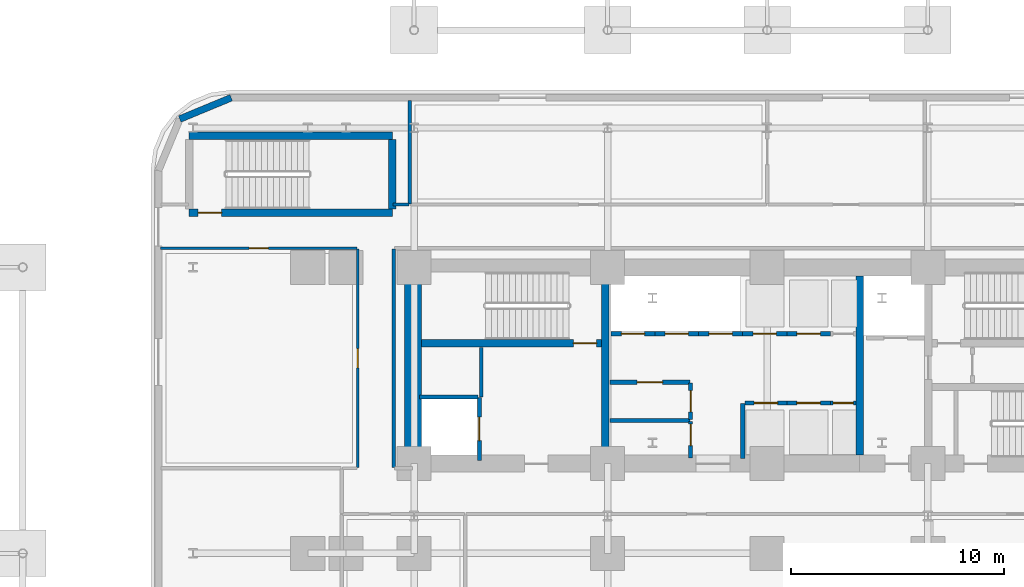
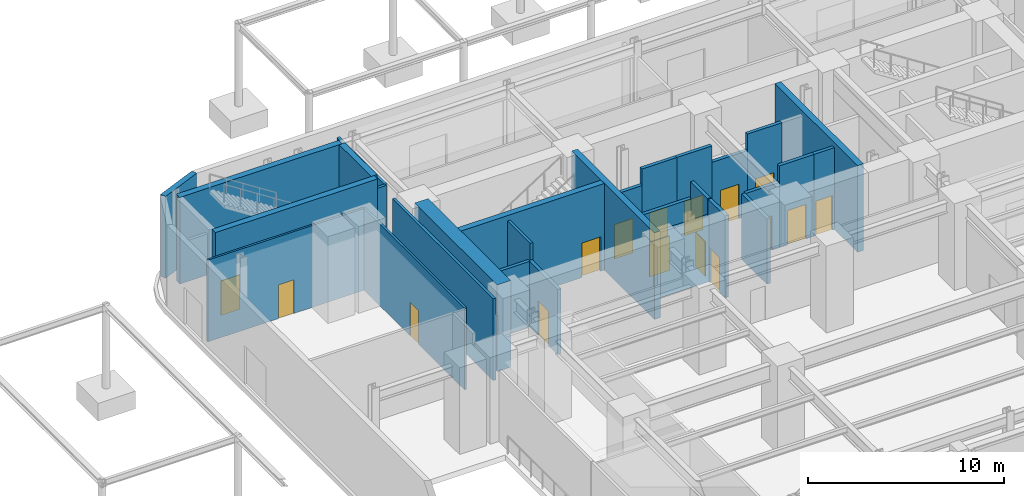
# One storey, part 13 of 21: 29 walls, 16 doors, 16 openings.
"""IFC4 building model written with IfcOpenShell, lengths in metres."""

from ifc_helpers import new_model, si_unit, direction, frame, frame_2d, origin, place, context, subcontext, project, spatial, rectangle, extrude, material, layer, layer_set, type_object, element, fill, save


model = new_model("IFC4")

# Units and contexts
model_context = context("Model", 3, precision=1e-05, world=origin(), true_north=direction((0.0, 1.0)))
body_context = subcontext(model_context, "Body", "Model", "MODEL_VIEW")
ifc_project = project(units=[si_unit("LENGTHUNIT", "METRE"), si_unit("AREAUNIT", "SQUARE_METRE"), si_unit("VOLUMEUNIT", "CUBIC_METRE"), si_unit("PLANEANGLEUNIT", "RADIAN"), si_unit("MASSUNIT", "GRAM", prefix="KILO")], contexts=[model_context])

# Site, building, storey
site_placement = place(None, origin())
site = spatial("IfcSite", under=ifc_project, at=site_placement, CompositionType="ELEMENT")
building_placement = place(site_placement, origin())
building = spatial("IfcBuilding", under=site, at=building_placement, Name="Zarnavel Station Tower", CompositionType="ELEMENT")
storey_placement = place(building_placement, origin())
storey = spatial("IfcBuildingStorey", under=building, at=storey_placement, Name="L01", CompositionType="ELEMENT", Elevation=0.0)

# Walls
ifc_material_1 = material(Name="Concrete C50/60", Category="concrete")
ifc_layer_1 = layer(ifc_material_1, 0.35009765625)
ifc_layer_set_1 = layer_set([ifc_layer_1], Name="CW_350")
wall_type_1 = type_object("IfcWallType", Name="CW_350", PredefinedType="SHEAR", material=ifc_layer_set_1)
for number, where, z_axis, x_axis, name in (
    (1, (21.179931640625, 28.219970703125, 0.0), (0.0, 0.0, 1.0), (0.0, 1.0, 0.0), "L01 Rear Core Shear Wall DIV-W"),
    (2, (33.14990234375, 28.219970703125, 0.0), (0.0, 0.0, 1.0), (0.0, 1.0, 0.0), "L01 Rear Core Shear Wall DIV-E"),
):
    element("IfcWall", number, at=place(storey_placement, frame(where, z_axis=z_axis, x_axis=x_axis)), inside=storey, type_object=wall_type_1, Name=name, PredefinedType="SHEAR", context=body_context, shape_type="SweptSolid", body=[
        extrude(rectangle(XDim=8.429931640625, YDim=0.35009765625, at=frame_2d((4.21484375, 0.0))), origin(), (0.0, 0.0, 1.0), 5.39990234375),
    ])

# Wall, opening, door
wall_1_placement = place(storey_placement, frame((21.0048828125, 33.47998046875, 0.0), z_axis=(0.0, 0.0, 1.0), x_axis=(-1.0, 0.0, 0.0)))
wall_1 = element("IfcWall", 3, at=wall_1_placement, inside=storey, type_object=wall_type_1, Name="L01 Rear Core Shear Wall DIV-H1", PredefinedType="SHEAR", context=body_context, shape_type="SweptSolid", body=[
    extrude(rectangle(XDim=8.454833984375, YDim=0.35009765625, at=frame_2d((4.2275390625, 0.0))), origin(), (0.0, 0.0, 1.0), 5.39990234375),
])
opening_1_placement = place(wall_1_placement, frame((0.219970703125, 0.0, 0.0)))
opening_1 = element("IfcOpeningElement", 4, at=opening_1_placement, cuts=wall_1, Name="Opening FD01", PredefinedType="OPENING", context=body_context, shape_type="SweptSolid", body=[
    extrude(rectangle(XDim=1.10009765625, YDim=2.14990234375, at=frame_2d((0.550048828125, 1.074951171875))), frame((0.0, 0.18505859375, 0.0), z_axis=(0.0, -1.0, 0.0), x_axis=(1.0, 0.0, 0.0)), (0.0, 0.0, 1.0), 0.3701171875),
])
ifc_material_2 = material(Name="Painted Galvanised Steel and Hardwood Leaf", Category="steel")
door_type_1 = type_object("IfcDoorType", Name="ID_STAIR_1100", OperationType="NOTDEFINED", PredefinedType="DOOR", material=ifc_material_2)
door_1_placement = place(opening_1_placement, origin())
door_1 = element("IfcDoor", 5, at=door_1_placement, inside=storey, type_object=door_type_1, Name="L01 Stair ST1 Lobby Fire Door", OperationType="SINGLE_SWING_LEFT", OverallHeight=2.14990234375, OverallWidth=1.10009765625, PredefinedType="DOOR", context=body_context, shape_type="SweptSolid", body=[
    extrude(rectangle(XDim=1.10009765625, YDim=2.14990234375, at=frame_2d((0.550048828125, 1.074951171875))), frame((0.0, 0.02490234375, 0.0), z_axis=(0.0, -1.0, 0.0), x_axis=(1.0, 0.0, 0.0)), (0.0, 0.0, 1.0), 0.050048828125),
])
fill(opening_1, door_1)

# Wall
wall_2_placement = place(storey_placement, frame((1.6201171875, 43.239990234375, 0.0), z_axis=(0.0, 0.0, 1.0), x_axis=(1.0, 0.0, 0.0)))
element("IfcWall", 6, at=wall_2_placement, inside=storey, type_object=wall_type_1, Name="L01 Rear Core Shear Wall ST4-N", PredefinedType="SHEAR", context=body_context, shape_type="SweptSolid", body=[
    extrude(rectangle(XDim=9.559814453125, YDim=0.35009765625, at=frame_2d((4.77978515625, 0.0))), origin(), (0.0, 0.0, 1.0), 5.39990234375),
])

# Wall, opening, door
wall_3_placement = place(storey_placement, frame((11.179931640625, 39.6201171875, 0.0), z_axis=(0.0, 0.0, 1.0), x_axis=(-1.0, 0.0, 0.0)))
wall_3 = element("IfcWall", 7, at=wall_3_placement, inside=storey, type_object=wall_type_1, Name="L01 Rear Core Shear Wall ST4-S", PredefinedType="SHEAR", context=body_context, shape_type="SweptSolid", body=[
    extrude(rectangle(XDim=9.559814453125, YDim=0.35009765625, at=frame_2d((4.77978515625, 0.0))), origin(), (0.0, 0.0, 1.0), 5.39990234375),
])
opening_2_placement = place(wall_3_placement, frame((8.030029296875, 0.0, 0.0)))
opening_2 = element("IfcOpeningElement", 8, at=opening_2_placement, cuts=wall_3, Name="Opening FD01", PredefinedType="OPENING", context=body_context, shape_type="SweptSolid", body=[
    extrude(rectangle(XDim=1.10009765625, YDim=2.14990234375, at=frame_2d((0.550048828125, 1.074951171875))), frame((0.0, 0.18505859375, 0.0), z_axis=(0.0, -1.0, 0.0), x_axis=(1.0, 0.0, 0.0)), (0.0, 0.0, 1.0), 0.3701171875),
])
door_2_placement = place(opening_2_placement, origin())
door_2 = element("IfcDoor", 9, at=door_2_placement, inside=storey, type_object=door_type_1, Name="L01 Podium Stair ST4 Fire Door", OperationType="SINGLE_SWING_RIGHT", OverallHeight=2.14990234375, OverallWidth=1.10009765625, PredefinedType="DOOR", context=body_context, shape_type="SweptSolid", body=[
    extrude(rectangle(XDim=1.10009765625, YDim=2.14990234375, at=frame_2d((0.550048828125, 1.074951171875))), frame((0.0, 0.02490234375, 0.0), z_axis=(0.0, -1.0, 0.0), x_axis=(1.0, 0.0, 0.0)), (0.0, 0.0, 1.0), 0.050048828125),
])
fill(opening_2, door_2)

# Walls
wall_4_placement = place(storey_placement, frame((11.179931640625, 39.794921875, 0.0), z_axis=(0.0, 0.0, 1.0), x_axis=(0.0, 1.0, 0.0)))
element("IfcWall", 10, at=wall_4_placement, inside=storey, type_object=wall_type_1, Name="L01 Rear Core Shear Wall ST4-E", PredefinedType="SHEAR", context=body_context, shape_type="SweptSolid", body=[
    extrude(rectangle(XDim=3.27001953125, YDim=0.35009765625, at=frame_2d((1.635009765625, 0.0))), origin(), (0.0, 0.0, 1.0), 5.39990234375),
])
ifc_material_3 = material(Name="Concrete C60/75", Category="concrete")
ifc_layer_2 = layer(ifc_material_3, 0.800048828125)
ifc_layer_set_2 = layer_set([ifc_layer_2], Name="CW_800")
wall_type_2 = type_object("IfcWallType", Name="CW_800", PredefinedType="SHEAR", material=ifc_layer_set_2)
wall_5_placement = place(storey_placement, frame((12.14990234375, 28.219970703125, 0.0), z_axis=(0.0, 0.0, 1.0), x_axis=(0.0, 1.0, 0.0)))
element("IfcWall", 11, at=wall_5_placement, inside=storey, type_object=wall_type_2, Name="L01 Rear Core Shear Wall W", PredefinedType="SHEAR", context=body_context, shape_type="SweptSolid", body=[
    extrude(rectangle(XDim=8.429931640625, YDim=0.800048828125, at=frame_2d((4.21484375, 0.0))), origin(), (0.0, 0.0, 1.0), 5.39990234375),
])
ifc_material_4 = material(Name="Precast concrete C45/55 (Podium Basalt Frame)", Category="masonry")
ifc_layer_3 = layer(ifc_material_4, 0.320068359375)
ifc_layer_set_3 = layer_set([ifc_layer_3], Name="EW_BASALT_320")
wall_type_3 = type_object("IfcWallType", Name="EW_BASALT_320", PredefinedType="SOLIDWALL", material=ifc_layer_set_3)
wall_6_placement = place(storey_placement, frame((1.181640625, 44.018310546875, 0.0), z_axis=(0.0, 0.0, 1.0), x_axis=(0.923886112352, 0.382667546838, 0.0)))
element("IfcWall", 12, at=wall_6_placement, inside=storey, type_object=wall_type_3, Name="L01 Exterior Basalt Masonry Frame Wall 07", PredefinedType="SOLIDWALL", context=body_context, shape_type="SweptSolid", body=[
    extrude(rectangle(XDim=2.61767578125, YDim=0.320068359375, at=frame_2d((1.308837890625, 0.0))), origin(), (0.0, 0.0, 1.0), 5.10009765625),
])
ifc_material_5 = material(Name="Gypsum Twin-Stud Acoustic Fire Partition", Category="concrete")
ifc_layer_4 = layer(ifc_material_5, 0.159912109375)
ifc_layer_set_4 = layer_set([ifc_layer_4], Name="PT_DEMISE_160")
wall_type_4 = type_object("IfcWallType", Name="PT_DEMISE_160", PredefinedType="PARTITIONING", material=ifc_layer_set_4)
wall_7_placement = place(storey_placement, frame((15.35009765625, 30.9599609375, 0.0), z_axis=(0.0, 0.0, 1.0), x_axis=(0.0, 1.0, 0.0)))
element("IfcWall", 13, at=wall_7_placement, inside=storey, type_object=wall_type_4, Name="L01 Enclosure Wall FFL1", PredefinedType="PARTITIONING", context=body_context, shape_type="SweptSolid", body=[
    extrude(rectangle(XDim=2.31005859375, YDim=0.159912109375, at=frame_2d((1.155029296875, 0.0))), origin(), (0.0, 0.0, 1.0), 5.10009765625),
])
wall_8_placement = place(storey_placement, frame((11.25, 27.6298828125, 0.0), z_axis=(0.0, 0.0, 1.0), x_axis=(0.0, 1.0, 0.0)))
element("IfcWall", 14, at=wall_8_placement, inside=storey, type_object=wall_type_4, Name="L01 Enclosure Wall PCOR-W", PredefinedType="PARTITIONING", context=body_context, shape_type="SweptSolid", body=[
    extrude(rectangle(XDim=10.2900390625, YDim=0.159912109375, at=frame_2d((5.14501953125, 0.0))), origin(), (0.0, 0.0, 1.0), 5.10009765625),
])
wall_9_placement = place(storey_placement, frame((11.2099609375, 40.0, 0.0), z_axis=(0.0, 0.0, 1.0), x_axis=(1.0, 0.0, 0.0)))
element("IfcWall", 15, at=wall_9_placement, inside=storey, type_object=wall_type_4, Name="L01 Enclosure Wall PCOR-N", PredefinedType="PARTITIONING", context=body_context, shape_type="SweptSolid", body=[
    extrude(rectangle(XDim=0.760009765625, YDim=0.159912109375, at=frame_2d((0.3798828125, 0.0))), origin(), (0.0, 0.0, 1.0), 4.429931640625),
])
wall_10_placement = place(storey_placement, frame((12.0, 40.030029296875, 0.0), z_axis=(0.0, 0.0, 1.0), x_axis=(0.0, 1.0, 0.0)))
element("IfcWall", 16, at=wall_10_placement, inside=storey, type_object=wall_type_4, Name="L01 Enclosure Wall RLOB", PredefinedType="PARTITIONING", context=body_context, shape_type="SweptSolid", body=[
    extrude(rectangle(XDim=4.85986328125, YDim=0.159912109375, at=frame_2d((2.429931640625, 0.0))), origin(), (0.0, 0.0, 1.0), 4.429931640625),
])

# Wall, opening, door
ifc_material_6 = material(Name="Gypsum Metal-Stud Interior Partition", Category="concrete")
ifc_layer_5 = layer(ifc_material_6, 0.1201171875)
ifc_layer_set_5 = layer_set([ifc_layer_5], Name="PT_ROOM_120")
wall_type_5 = type_object("IfcWallType", Name="PT_ROOM_120", PredefinedType="PARTITIONING", material=ifc_layer_set_5)
wall_11_placement = place(storey_placement, frame((9.550048828125, 27.639892578125, 0.0), z_axis=(0.0, 0.0, 1.0), x_axis=(0.0, 1.0, 0.0)))
wall_11 = element("IfcWall", 17, at=wall_11_placement, inside=storey, type_object=wall_type_5, Name="L01 Partition PCOR-W-PNW", PredefinedType="PARTITIONING", context=body_context, shape_type="SweptSolid", body=[
    extrude(rectangle(XDim=10.27001953125, YDim=0.1201171875, at=frame_2d((5.135009765625, 0.0))), origin(), (0.0, 0.0, 1.0), 5.10009765625),
])
opening_3_placement = place(wall_11_placement, frame((4.68505859375, 0.0, 0.0)))
opening_3 = element("IfcOpeningElement", 18, at=opening_3_placement, cuts=wall_11, Name="Opening ID01", PredefinedType="OPENING", context=body_context, shape_type="SweptSolid", body=[
    extrude(rectangle(XDim=0.89990234375, YDim=2.10009765625, at=frame_2d((0.449951171875, 1.050048828125))), frame((0.0, 0.070068359375, 0.0), z_axis=(0.0, -1.0, 0.0), x_axis=(1.0, 0.0, 0.0)), (0.0, 0.0, 1.0), 0.14013671875),
])
ifc_material_7 = material(Name="Painted Galvanised Steel and Hardwood Leaf", Category="steel")
door_type_2 = type_object("IfcDoorType", Name="ID_ROOM_900", OperationType="NOTDEFINED", PredefinedType="DOOR", material=ifc_material_7)
door_3_placement = place(opening_3_placement, origin())
door_3 = element("IfcDoor", 19, at=door_3_placement, inside=storey, type_object=door_type_2, Name="L01 Door PCOR-W-PNW", OperationType="SINGLE_SWING_RIGHT", OverallHeight=2.10009765625, OverallWidth=0.89990234375, PredefinedType="DOOR", context=body_context, shape_type="SweptSolid", body=[
    extrude(rectangle(XDim=0.89990234375, YDim=2.10009765625, at=frame_2d((0.449951171875, 1.050048828125))), frame((0.0, 0.02490234375, 0.0), z_axis=(0.0, -1.0, 0.0), x_axis=(1.0, 0.0, 0.0)), (0.0, 0.0, 1.0), 0.050048828125),
])
fill(opening_3, door_3)

wall_12_placement = place(storey_placement, frame((0.280029296875, 37.949951171875, 0.0), z_axis=(0.0, 0.0, 1.0), x_axis=(1.0, 0.0, 0.0)))
wall_12 = element("IfcWall", 20, at=wall_12_placement, inside=storey, type_object=wall_type_5, Name="L01 Partition PCOR-N-PNW", PredefinedType="PARTITIONING", context=body_context, shape_type="SweptSolid", body=[
    extrude(rectangle(XDim=9.22998046875, YDim=0.1201171875, at=frame_2d((4.614990234375, 0.0))), origin(), (0.0, 0.0, 1.0), 5.10009765625),
])
opening_4_placement = place(wall_12_placement, frame((4.1650390625, 0.0, 0.0)))
opening_4 = element("IfcOpeningElement", 21, at=opening_4_placement, cuts=wall_12, Name="Opening ID01", PredefinedType="OPENING", context=body_context, shape_type="SweptSolid", body=[
    extrude(rectangle(XDim=0.89990234375, YDim=2.10009765625, at=frame_2d((0.449951171875, 1.050048828125))), frame((0.0, 0.070068359375, 0.0), z_axis=(0.0, -1.0, 0.0), x_axis=(1.0, 0.0, 0.0)), (0.0, 0.0, 1.0), 0.14013671875),
])
door_4_placement = place(opening_4_placement, origin())
door_4 = element("IfcDoor", 22, at=door_4_placement, inside=storey, type_object=door_type_2, Name="L01 Door PCOR-N-PNW", OperationType="SINGLE_SWING_LEFT", OverallHeight=2.10009765625, OverallWidth=0.89990234375, PredefinedType="DOOR", context=body_context, shape_type="SweptSolid", body=[
    extrude(rectangle(XDim=0.89990234375, YDim=2.10009765625, at=frame_2d((0.449951171875, 1.050048828125))), frame((0.0, 0.02490234375, 0.0), z_axis=(0.0, -1.0, 0.0), x_axis=(1.0, 0.0, 0.0)), (0.0, 0.0, 1.0), 0.050048828125),
])
fill(opening_4, door_4)

ifc_material_8 = material(Name="Precast concrete C45/55 (Fire Shaft Blockwork)", Category="masonry")
ifc_layer_6 = layer(ifc_material_8, 0.199951171875)
ifc_layer_set_6 = layer_set([ifc_layer_6], Name="PT_SHAFT_200")
wall_type_6 = type_object("IfcWallType", Name="PT_SHAFT_200", PredefinedType="PARTITIONING", material=ifc_layer_set_6)
wall_13_placement = place(storey_placement, frame((15.27001953125, 27.969970703125, 0.0), z_axis=(0.0, 0.0, 1.0), x_axis=(0.0, 1.0, 0.0)))
wall_13 = element("IfcWall", 23, at=wall_13_placement, inside=storey, type_object=wall_type_6, Name="L01 Lift FFL-01 Shaft Front Wall", PredefinedType="PARTITIONING", context=body_context, shape_type="SweptSolid", body=[
    extrude(rectangle(XDim=2.9599609375, YDim=0.199951171875, at=frame_2d((1.47998046875, 0.0))), origin(), (0.0, 0.0, 1.0), 4.072021484375),
])
opening_5_placement = place(wall_13_placement, frame((0.929931640625, 0.0, 0.0)))
opening_5 = element("IfcOpeningElement", 24, at=opening_5_placement, cuts=wall_13, Name="Opening LD01", PredefinedType="OPENING", context=body_context, shape_type="SweptSolid", body=[
    extrude(rectangle(XDim=1.10009765625, YDim=2.14990234375, at=frame_2d((0.550048828125, 1.074951171875))), frame((0.0, 0.10986328125, 0.0), z_axis=(0.0, -1.0, 0.0), x_axis=(1.0, 0.0, 0.0)), (0.0, 0.0, 1.0), 0.219970703125),
])
ifc_material_9 = material(Name="Painted Galvanised Steel and Hardwood Leaf", Category="steel")
door_type_3 = type_object("IfcDoorType", Name="LD_FF_1100", OperationType="DOUBLE_DOOR_SLIDING", PredefinedType="DOOR", material=ifc_material_9)
door_5_placement = place(opening_5_placement, origin())
door_5 = element("IfcDoor", 25, at=door_5_placement, inside=storey, type_object=door_type_3, Name="L01 Lift FFL-01 Sliding Landing Door", OperationType="DOUBLE_DOOR_SLIDING", OverallHeight=2.14990234375, OverallWidth=1.10009765625, PredefinedType="DOOR", context=body_context, shape_type="SweptSolid", body=[
    extrude(rectangle(XDim=1.10009765625, YDim=2.14990234375, at=frame_2d((0.550048828125, 1.074951171875))), frame((0.0, 0.02490234375, 0.0), z_axis=(0.0, -1.0, 0.0), x_axis=(1.0, 0.0, 0.0)), (0.0, 0.0, 1.0), 0.050048828125),
])
fill(opening_5, door_5)

# Wall
wall_14_placement = place(storey_placement, frame((12.449951171875, 30.949951171875, 0.0), z_axis=(0.0, 0.0, 1.0), x_axis=(1.0, 0.0, 0.0)))
element("IfcWall", 26, at=wall_14_placement, inside=storey, type_object=wall_type_6, Name="L01 Lift FFL-01 North Shaft Wall", PredefinedType="PARTITIONING", context=body_context, shape_type="SweptSolid", body=[
    extrude(rectangle(XDim=2.75, YDim=0.199951171875, at=frame_2d((1.375, 0.0))), origin(), (0.0, 0.0, 1.0), 4.072021484375),
])

# Wall, opening, door
wall_15_placement = place(storey_placement, frame((27.75, 30.669921875, 0.0), z_axis=(0.0, 0.0, 1.0), x_axis=(1.0, 0.0, 0.0)))
wall_15 = element("IfcWall", 27, at=wall_15_placement, inside=storey, type_object=wall_type_6, Name="L01 Lift PL-H1 Shaft Front Wall", PredefinedType="PARTITIONING", context=body_context, shape_type="SweptSolid", body=[
    extrude(rectangle(XDim=1.97509765625, YDim=0.199951171875, at=frame_2d((0.987548828125, 0.0))), origin(), (0.0, 0.0, 1.0), 4.072021484375),
])
opening_6_placement = place(wall_15_placement, frame((0.4375, 0.0, 0.0)))
opening_6 = element("IfcOpeningElement", 28, at=opening_6_placement, cuts=wall_15, Name="Opening LD02", PredefinedType="OPENING", context=body_context, shape_type="SweptSolid", body=[
    extrude(rectangle(XDim=1.10009765625, YDim=2.14990234375, at=frame_2d((0.550048828125, 1.074951171875))), frame((0.0, 0.10986328125, 0.0), z_axis=(0.0, -1.0, 0.0), x_axis=(1.0, 0.0, 0.0)), (0.0, 0.0, 1.0), 0.219970703125),
])
ifc_material_10 = material(Name="Painted Galvanised Steel and Hardwood Leaf", Category="steel")
door_type_4 = type_object("IfcDoorType", Name="LD_PAX_1100", OperationType="DOUBLE_DOOR_SLIDING", PredefinedType="DOOR", material=ifc_material_10)
door_6_placement = place(opening_6_placement, origin())
door_6 = element("IfcDoor", 29, at=door_6_placement, inside=storey, type_object=door_type_4, Name="L01 Lift PL-H1 Sliding Landing Door", OperationType="DOUBLE_DOOR_SLIDING", OverallHeight=2.14990234375, OverallWidth=1.10009765625, PredefinedType="DOOR", context=body_context, shape_type="SweptSolid", body=[
    extrude(rectangle(XDim=1.10009765625, YDim=2.14990234375, at=frame_2d((0.550048828125, 1.074951171875))), frame((0.0, 0.02490234375, 0.0), z_axis=(0.0, -1.0, 0.0), x_axis=(1.0, 0.0, 0.0)), (0.0, 0.0, 1.0), 0.050048828125),
])
fill(opening_6, door_6)

# Wall
wall_16_placement = place(storey_placement, frame((27.64990234375, 28.070068359375, 0.0), z_axis=(0.0, 0.0, 1.0), x_axis=(0.0, 1.0, 0.0)))
element("IfcWall", 30, at=wall_16_placement, inside=storey, type_object=wall_type_6, Name="L01 High-Rise Lift Bank West Shaft Wall", PredefinedType="PARTITIONING", context=body_context, shape_type="SweptSolid", body=[
    extrude(rectangle(XDim=2.579833984375, YDim=0.199951171875, at=frame_2d((1.2900390625, 0.0))), origin(), (0.0, 0.0, 1.0), 4.072021484375),
])

# Wall, opening, door
wall_17_placement = place(storey_placement, frame((29.72509765625, 30.669921875, 0.0), z_axis=(0.0, 0.0, 1.0), x_axis=(1.0, 0.0, 0.0)))
wall_17 = element("IfcWall", 31, at=wall_17_placement, inside=storey, type_object=wall_type_6, Name="L01 Lift PL-H2 Shaft Front Wall", PredefinedType="PARTITIONING", context=body_context, shape_type="SweptSolid", body=[
    extrude(rectangle(XDim=2.0498046875, YDim=0.199951171875, at=frame_2d((1.02490234375, 0.0))), origin(), (0.0, 0.0, 1.0), 5.10009765625),
])
opening_7_placement = place(wall_17_placement, frame((0.47509765625, 0.0, 0.0)))
opening_7 = element("IfcOpeningElement", 32, at=opening_7_placement, cuts=wall_17, Name="Opening LD02", PredefinedType="OPENING", context=body_context, shape_type="SweptSolid", body=[
    extrude(rectangle(XDim=1.10009765625, YDim=2.14990234375, at=frame_2d((0.550048828125, 1.074951171875))), frame((0.0, 0.10986328125, 0.0), z_axis=(0.0, -1.0, 0.0), x_axis=(1.0, 0.0, 0.0)), (0.0, 0.0, 1.0), 0.219970703125),
])
door_7_placement = place(opening_7_placement, origin())
door_7 = element("IfcDoor", 33, at=door_7_placement, inside=storey, type_object=door_type_4, Name="L01 Lift PL-H2 Sliding Landing Door", OperationType="DOUBLE_DOOR_SLIDING", OverallHeight=2.14990234375, OverallWidth=1.10009765625, PredefinedType="DOOR", context=body_context, shape_type="SweptSolid", body=[
    extrude(rectangle(XDim=1.10009765625, YDim=2.14990234375, at=frame_2d((0.550048828125, 1.074951171875))), frame((0.0, 0.02490234375, 0.0), z_axis=(0.0, -1.0, 0.0), x_axis=(1.0, 0.0, 0.0)), (0.0, 0.0, 1.0), 0.050048828125),
])
fill(opening_7, door_7)

wall_18_placement = place(storey_placement, frame((31.77490234375, 30.669921875, 0.0), z_axis=(0.0, 0.0, 1.0), x_axis=(1.0, 0.0, 0.0)))
wall_18 = element("IfcWall", 34, at=wall_18_placement, inside=storey, type_object=wall_type_6, Name="L01 Lift PL-H3 Shaft Front Wall", PredefinedType="PARTITIONING", context=body_context, shape_type="SweptSolid", body=[
    extrude(rectangle(XDim=1.2001953125, YDim=0.199951171875, at=frame_2d((0.60009765625, 0.0))), origin(), (0.0, 0.0, 1.0), 5.10009765625),
])
opening_8_placement = place(wall_18_placement, frame((0.125, 0.0, 0.0)))
opening_8 = element("IfcOpeningElement", 35, at=opening_8_placement, cuts=wall_18, Name="Opening LD03", PredefinedType="OPENING", context=body_context, shape_type="SweptSolid", body=[
    extrude(rectangle(XDim=0.949951171875, YDim=2.14990234375, at=frame_2d((0.47509765625, 1.074951171875))), frame((0.0, 0.10986328125, 0.0), z_axis=(0.0, -1.0, 0.0), x_axis=(1.0, 0.0, 0.0)), (0.0, 0.0, 1.0), 0.219970703125),
])
ifc_material_11 = material(Name="Painted Galvanised Steel and Hardwood Leaf", Category="steel")
door_type_5 = type_object("IfcDoorType", Name="LD_PAX_0950", OperationType="DOUBLE_DOOR_SLIDING", PredefinedType="DOOR", material=ifc_material_11)
door_8_placement = place(opening_8_placement, origin())
door_8 = element("IfcDoor", 36, at=door_8_placement, inside=storey, type_object=door_type_5, Name="L01 Lift PL-H3 Sliding Landing Door", OperationType="DOUBLE_DOOR_SLIDING", OverallHeight=2.14990234375, OverallWidth=0.949951171875, PredefinedType="DOOR", context=body_context, shape_type="SweptSolid", body=[
    extrude(rectangle(XDim=0.949951171875, YDim=2.14990234375, at=frame_2d((0.47509765625, 1.074951171875))), frame((0.0, 0.02490234375, 0.0), z_axis=(0.0, -1.0, 0.0), x_axis=(1.0, 0.0, 0.0)), (0.0, 0.0, 1.0), 0.050048828125),
])
fill(opening_8, door_8)

wall_19_placement = place(storey_placement, frame((21.4599609375, 33.929931640625, 0.0), z_axis=(0.0, 0.0, 1.0), x_axis=(1.0, 0.0, 0.0)))
wall_19 = element("IfcWall", 37, at=wall_19_placement, inside=storey, type_object=wall_type_6, Name="L01 Lift PL-L1 Shaft Front Wall", PredefinedType="PARTITIONING", context=body_context, shape_type="SweptSolid", body=[
    extrude(rectangle(XDim=2.06494140625, YDim=0.199951171875, at=frame_2d((1.032470703125, 0.0))), origin(), (0.0, 0.0, 1.0), 4.072021484375),
])
opening_9_placement = place(wall_19_placement, frame((0.482421875, 0.0, 0.0)))
opening_9 = element("IfcOpeningElement", 38, at=opening_9_placement, cuts=wall_19, Name="Opening LD02", PredefinedType="OPENING", context=body_context, shape_type="SweptSolid", body=[
    extrude(rectangle(XDim=1.10009765625, YDim=2.14990234375, at=frame_2d((0.550048828125, 1.074951171875))), frame((0.0, 0.10986328125, 0.0), z_axis=(0.0, -1.0, 0.0), x_axis=(1.0, 0.0, 0.0)), (0.0, 0.0, 1.0), 0.219970703125),
])
door_9_placement = place(opening_9_placement, origin())
door_9 = element("IfcDoor", 39, at=door_9_placement, inside=storey, type_object=door_type_4, Name="L01 Lift PL-L1 Sliding Landing Door", OperationType="DOUBLE_DOOR_SLIDING", OverallHeight=2.14990234375, OverallWidth=1.10009765625, PredefinedType="DOOR", context=body_context, shape_type="SweptSolid", body=[
    extrude(rectangle(XDim=1.10009765625, YDim=2.14990234375, at=frame_2d((0.550048828125, 1.074951171875))), frame((0.0, 0.02490234375, 0.0), z_axis=(0.0, -1.0, 0.0), x_axis=(1.0, 0.0, 0.0)), (0.0, 0.0, 1.0), 0.050048828125),
])
fill(opening_9, door_9)

wall_20_placement = place(storey_placement, frame((23.52490234375, 33.929931640625, 0.0), z_axis=(0.0, 0.0, 1.0), x_axis=(1.0, 0.0, 0.0)))
wall_20 = element("IfcWall", 40, at=wall_20_placement, inside=storey, type_object=wall_type_6, Name="L01 Lift PL-L2 Shaft Front Wall", PredefinedType="PARTITIONING", context=body_context, shape_type="SweptSolid", body=[
    extrude(rectangle(XDim=2.050048828125, YDim=0.199951171875, at=frame_2d((1.02490234375, 0.0))), origin(), (0.0, 0.0, 1.0), 5.10009765625),
])
opening_10_placement = place(wall_20_placement, frame((0.47509765625, 0.0, 0.0)))
opening_10 = element("IfcOpeningElement", 41, at=opening_10_placement, cuts=wall_20, Name="Opening LD02", PredefinedType="OPENING", context=body_context, shape_type="SweptSolid", body=[
    extrude(rectangle(XDim=1.10009765625, YDim=2.14990234375, at=frame_2d((0.550048828125, 1.074951171875))), frame((0.0, 0.10986328125, 0.0), z_axis=(0.0, -1.0, 0.0), x_axis=(1.0, 0.0, 0.0)), (0.0, 0.0, 1.0), 0.219970703125),
])
door_10_placement = place(opening_10_placement, origin())
door_10 = element("IfcDoor", 42, at=door_10_placement, inside=storey, type_object=door_type_4, Name="L01 Lift PL-L2 Sliding Landing Door", OperationType="DOUBLE_DOOR_SLIDING", OverallHeight=2.14990234375, OverallWidth=1.10009765625, PredefinedType="DOOR", context=body_context, shape_type="SweptSolid", body=[
    extrude(rectangle(XDim=1.10009765625, YDim=2.14990234375, at=frame_2d((0.550048828125, 1.074951171875))), frame((0.0, 0.02490234375, 0.0), z_axis=(0.0, -1.0, 0.0), x_axis=(1.0, 0.0, 0.0)), (0.0, 0.0, 1.0), 0.050048828125),
])
fill(opening_10, door_10)

wall_21_placement = place(storey_placement, frame((25.574951171875, 33.929931640625, 0.0), z_axis=(0.0, 0.0, 1.0), x_axis=(1.0, 0.0, 0.0)))
wall_21 = element("IfcWall", 43, at=wall_21_placement, inside=storey, type_object=wall_type_6, Name="L01 Lift PL-L3 Shaft Front Wall", PredefinedType="PARTITIONING", context=body_context, shape_type="SweptSolid", body=[
    extrude(rectangle(XDim=2.074951171875, YDim=0.199951171875, at=frame_2d((1.03759765625, 0.0))), origin(), (0.0, 0.0, 1.0), 5.10009765625),
])
opening_11_placement = place(wall_21_placement, frame((0.487548828125, 0.0, 0.0)))
opening_11 = element("IfcOpeningElement", 44, at=opening_11_placement, cuts=wall_21, Name="Opening LD02", PredefinedType="OPENING", context=body_context, shape_type="SweptSolid", body=[
    extrude(rectangle(XDim=1.10009765625, YDim=2.14990234375, at=frame_2d((0.550048828125, 1.074951171875))), frame((0.0, 0.10986328125, 0.0), z_axis=(0.0, -1.0, 0.0), x_axis=(1.0, 0.0, 0.0)), (0.0, 0.0, 1.0), 0.219970703125),
])
door_11_placement = place(opening_11_placement, origin())
door_11 = element("IfcDoor", 45, at=door_11_placement, inside=storey, type_object=door_type_4, Name="L01 Lift PL-L3 Sliding Landing Door", OperationType="DOUBLE_DOOR_SLIDING", OverallHeight=2.14990234375, OverallWidth=1.10009765625, PredefinedType="DOOR", context=body_context, shape_type="SweptSolid", body=[
    extrude(rectangle(XDim=1.10009765625, YDim=2.14990234375, at=frame_2d((0.550048828125, 1.074951171875))), frame((0.0, 0.02490234375, 0.0), z_axis=(0.0, -1.0, 0.0), x_axis=(1.0, 0.0, 0.0)), (0.0, 0.0, 1.0), 0.050048828125),
])
fill(opening_11, door_11)

wall_22_placement = place(storey_placement, frame((27.64990234375, 33.929931640625, 0.0), z_axis=(0.0, 0.0, 1.0), x_axis=(1.0, 0.0, 0.0)))
wall_22 = element("IfcWall", 46, at=wall_22_placement, inside=storey, type_object=wall_type_6, Name="L01 Lift PL-M1 Shaft Front Wall", PredefinedType="PARTITIONING", context=body_context, shape_type="SweptSolid", body=[
    extrude(rectangle(XDim=2.0751953125, YDim=0.199951171875, at=frame_2d((1.03759765625, 0.0))), origin(), (0.0, 0.0, 1.0), 4.072021484375),
])
opening_12_placement = place(wall_22_placement, frame((0.487548828125, 0.0, 0.0)))
opening_12 = element("IfcOpeningElement", 47, at=opening_12_placement, cuts=wall_22, Name="Opening LD02", PredefinedType="OPENING", context=body_context, shape_type="SweptSolid", body=[
    extrude(rectangle(XDim=1.10009765625, YDim=2.14990234375, at=frame_2d((0.550048828125, 1.074951171875))), frame((0.0, 0.10986328125, 0.0), z_axis=(0.0, -1.0, 0.0), x_axis=(1.0, 0.0, 0.0)), (0.0, 0.0, 1.0), 0.219970703125),
])
door_12_placement = place(opening_12_placement, origin())
door_12 = element("IfcDoor", 48, at=door_12_placement, inside=storey, type_object=door_type_4, Name="L01 Lift PL-M1 Sliding Landing Door", OperationType="DOUBLE_DOOR_SLIDING", OverallHeight=2.14990234375, OverallWidth=1.10009765625, PredefinedType="DOOR", context=body_context, shape_type="SweptSolid", body=[
    extrude(rectangle(XDim=1.10009765625, YDim=2.14990234375, at=frame_2d((0.550048828125, 1.074951171875))), frame((0.0, 0.02490234375, 0.0), z_axis=(0.0, -1.0, 0.0), x_axis=(1.0, 0.0, 0.0)), (0.0, 0.0, 1.0), 0.050048828125),
])
fill(opening_12, door_12)

wall_23_placement = place(storey_placement, frame((29.72509765625, 33.929931640625, 0.0), z_axis=(0.0, 0.0, 1.0), x_axis=(1.0, 0.0, 0.0)))
wall_23 = element("IfcWall", 49, at=wall_23_placement, inside=storey, type_object=wall_type_6, Name="L01 Lift PL-M2 Shaft Front Wall", PredefinedType="PARTITIONING", context=body_context, shape_type="SweptSolid", body=[
    extrude(rectangle(XDim=2.0498046875, YDim=0.199951171875, at=frame_2d((1.02490234375, 0.0))), origin(), (0.0, 0.0, 1.0), 5.10009765625),
])
opening_13_placement = place(wall_23_placement, frame((0.47509765625, 0.0, 0.0)))
opening_13 = element("IfcOpeningElement", 50, at=opening_13_placement, cuts=wall_23, Name="Opening LD02", PredefinedType="OPENING", context=body_context, shape_type="SweptSolid", body=[
    extrude(rectangle(XDim=1.10009765625, YDim=2.14990234375, at=frame_2d((0.550048828125, 1.074951171875))), frame((0.0, 0.10986328125, 0.0), z_axis=(0.0, -1.0, 0.0), x_axis=(1.0, 0.0, 0.0)), (0.0, 0.0, 1.0), 0.219970703125),
])
door_13_placement = place(opening_13_placement, origin())
door_13 = element("IfcDoor", 51, at=door_13_placement, inside=storey, type_object=door_type_4, Name="L01 Lift PL-M2 Sliding Landing Door", OperationType="DOUBLE_DOOR_SLIDING", OverallHeight=2.14990234375, OverallWidth=1.10009765625, PredefinedType="DOOR", context=body_context, shape_type="SweptSolid", body=[
    extrude(rectangle(XDim=1.10009765625, YDim=2.14990234375, at=frame_2d((0.550048828125, 1.074951171875))), frame((0.0, 0.02490234375, 0.0), z_axis=(0.0, -1.0, 0.0), x_axis=(1.0, 0.0, 0.0)), (0.0, 0.0, 1.0), 0.050048828125),
])
fill(opening_13, door_13)

wall_24_placement = place(storey_placement, frame((21.39990234375, 31.64990234375, 0.0), z_axis=(0.0, 0.0, 1.0), x_axis=(1.0, 0.0, 0.0)))
wall_24 = element("IfcWall", 52, at=wall_24_placement, inside=storey, type_object=wall_type_6, Name="L01 Partition LLOB-CS2", PredefinedType="PARTITIONING", context=body_context, shape_type="SweptSolid", body=[
    extrude(rectangle(XDim=3.760009765625, YDim=0.199951171875, at=frame_2d((1.8798828125, 0.0))), origin(), (0.0, 0.0, 1.0), 4.072021484375),
])
opening_14_placement = place(wall_24_placement, frame((1.280029296875, 0.0, 0.0)))
opening_14 = element("IfcOpeningElement", 53, at=opening_14_placement, cuts=wall_24, Name="Opening FD03", PredefinedType="OPENING", context=body_context, shape_type="SweptSolid", body=[
    extrude(rectangle(XDim=1.199951171875, YDim=2.14990234375, at=frame_2d((0.60009765625, 1.074951171875))), frame((0.0, 0.10986328125, 0.0), z_axis=(0.0, -1.0, 0.0), x_axis=(1.0, 0.0, 0.0)), (0.0, 0.0, 1.0), 0.219970703125),
])
ifc_material_12 = material(Name="Painted Galvanised Steel and Hardwood Leaf", Category="steel")
door_type_6 = type_object("IfcDoorType", Name="ID_PLANT_1200", OperationType="NOTDEFINED", PredefinedType="DOOR", material=ifc_material_12)
door_14_placement = place(opening_14_placement, origin())
door_14 = element("IfcDoor", 54, at=door_14_placement, inside=storey, type_object=door_type_6, Name="L01 Door LLOB-CS2", OperationType="SINGLE_SWING_RIGHT", OverallHeight=2.14990234375, OverallWidth=1.199951171875, PredefinedType="DOOR", context=body_context, shape_type="SweptSolid", body=[
    extrude(rectangle(XDim=1.199951171875, YDim=2.14990234375, at=frame_2d((0.60009765625, 1.074951171875))), frame((0.0, 0.02490234375, 0.0), z_axis=(0.0, -1.0, 0.0), x_axis=(1.0, 0.0, 0.0)), (0.0, 0.0, 1.0), 0.050048828125),
])
fill(opening_14, door_14)

wall_25_placement = place(storey_placement, frame((25.199951171875, 28.090087890625, 0.0), z_axis=(0.0, 0.0, 1.0), x_axis=(0.0, 1.0, 0.0)))
wall_25 = element("IfcWall", 55, at=wall_25_placement, inside=storey, type_object=wall_type_6, Name="L01 Partition LLOBS-CS1", PredefinedType="PARTITIONING", context=body_context, shape_type="SweptSolid", body=[
    extrude(rectangle(XDim=1.719970703125, YDim=0.199951171875, at=frame_2d((0.85986328125, 0.0))), origin(), (0.0, 0.0, 1.0), 5.10009765625),
])
opening_15_placement = place(wall_25_placement, frame((0.580078125, 0.0, 0.0)))
opening_15 = element("IfcOpeningElement", 56, at=opening_15_placement, cuts=wall_25, Name="Opening FD02", PredefinedType="OPENING", context=body_context, shape_type="SweptSolid", body=[
    extrude(rectangle(XDim=1.0, YDim=2.14990234375, at=frame_2d((0.5, 1.074951171875))), frame((0.0, 0.10986328125, 0.0), z_axis=(0.0, -1.0, 0.0), x_axis=(1.0, 0.0, 0.0)), (0.0, 0.0, 1.0), 0.219970703125),
])
ifc_material_13 = material(Name="Painted Galvanised Steel and Hardwood Leaf", Category="steel")
door_type_7 = type_object("IfcDoorType", Name="ID_ENTRY_1000", OperationType="NOTDEFINED", PredefinedType="DOOR", material=ifc_material_13)
door_15_placement = place(opening_15_placement, origin())
door_15 = element("IfcDoor", 57, at=door_15_placement, inside=storey, type_object=door_type_7, Name="L01 Door LLOBS-CS1", OperationType="SINGLE_SWING_LEFT", OverallHeight=2.14990234375, OverallWidth=1.0, PredefinedType="DOOR", context=body_context, shape_type="SweptSolid", body=[
    extrude(rectangle(XDim=1.0, YDim=2.14990234375, at=frame_2d((0.5, 1.074951171875))), frame((0.0, 0.02490234375, 0.0), z_axis=(0.0, -1.0, 0.0), x_axis=(1.0, 0.0, 0.0)), (0.0, 0.0, 1.0), 0.050048828125),
])
fill(opening_15, door_15)

wall_26_placement = place(storey_placement, frame((25.199951171875, 29.889892578125, 0.0), z_axis=(0.0, 0.0, 1.0), x_axis=(0.0, 1.0, 0.0)))
wall_26 = element("IfcWall", 58, at=wall_26_placement, inside=storey, type_object=wall_type_6, Name="L01 Partition LLOBS-CS2", PredefinedType="PARTITIONING", context=body_context, shape_type="SweptSolid", body=[
    extrude(rectangle(XDim=1.72021484375, YDim=0.199951171875, at=frame_2d((0.860107421875, 0.0))), origin(), (0.0, 0.0, 1.0), 5.10009765625),
])
opening_16_placement = place(wall_26_placement, frame((0.360107421875, 0.0, 0.0)))
opening_16 = element("IfcOpeningElement", 59, at=opening_16_placement, cuts=wall_26, Name="Opening FD02", PredefinedType="OPENING", context=body_context, shape_type="SweptSolid", body=[
    extrude(rectangle(XDim=1.0, YDim=2.14990234375, at=frame_2d((0.5, 1.074951171875))), frame((0.0, 0.10986328125, 0.0), z_axis=(0.0, -1.0, 0.0), x_axis=(1.0, 0.0, 0.0)), (0.0, 0.0, 1.0), 0.219970703125),
])
door_16_placement = place(opening_16_placement, origin())
door_16 = element("IfcDoor", 60, at=door_16_placement, inside=storey, type_object=door_type_7, Name="L01 Door LLOBS-CS2", OperationType="SINGLE_SWING_RIGHT", OverallHeight=2.14990234375, OverallWidth=1.0, PredefinedType="DOOR", context=body_context, shape_type="SweptSolid", body=[
    extrude(rectangle(XDim=1.0, YDim=2.14990234375, at=frame_2d((0.5, 1.074951171875))), frame((0.0, 0.02490234375, 0.0), z_axis=(0.0, -1.0, 0.0), x_axis=(1.0, 0.0, 0.0)), (0.0, 0.0, 1.0), 0.050048828125),
])
fill(opening_16, door_16)

# Wall
wall_27_placement = place(storey_placement, frame((21.39990234375, 29.85009765625, 0.0), z_axis=(0.0, 0.0, 1.0), x_axis=(1.0, 0.0, 0.0)))
element("IfcWall", 61, at=wall_27_placement, inside=storey, type_object=wall_type_6, Name="L01 Partition CS1-CS2", PredefinedType="PARTITIONING", context=body_context, shape_type="SweptSolid", body=[
    extrude(rectangle(XDim=3.760009765625, YDim=0.199951171875, at=frame_2d((1.8798828125, 0.0))), origin(), (0.0, 0.0, 1.0), 4.072021484375),
])

save(model, "model.ifc")
